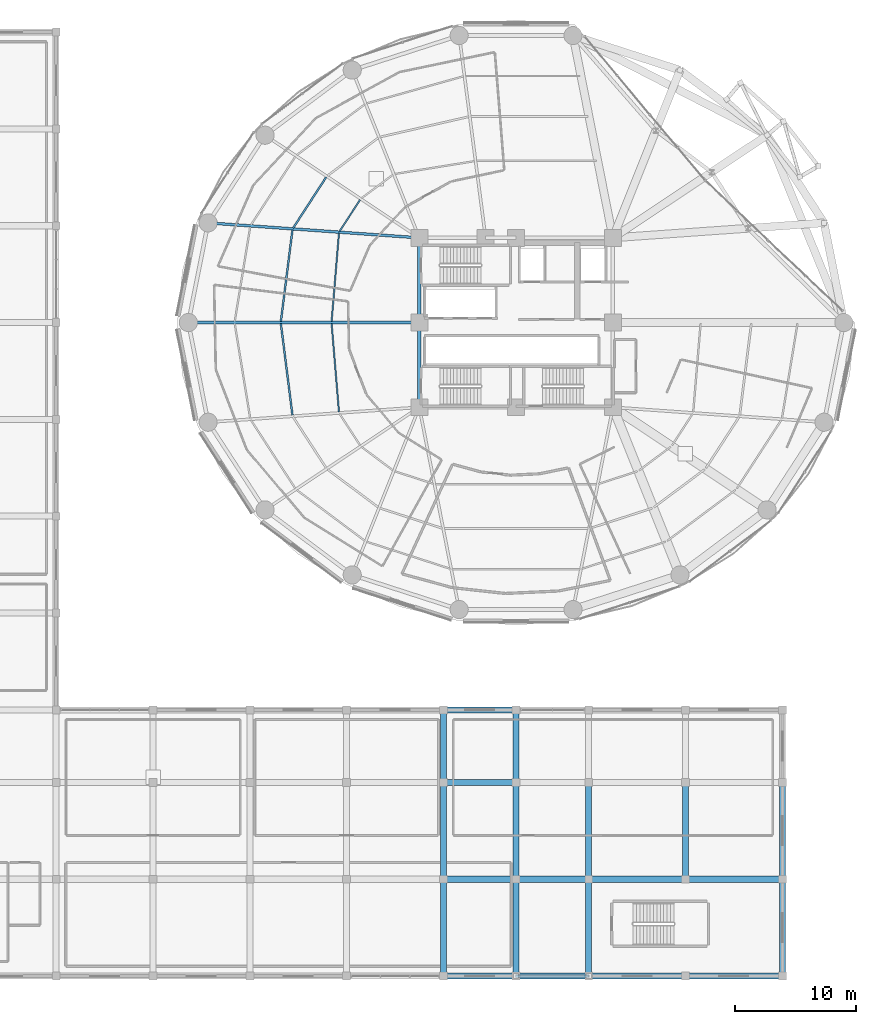
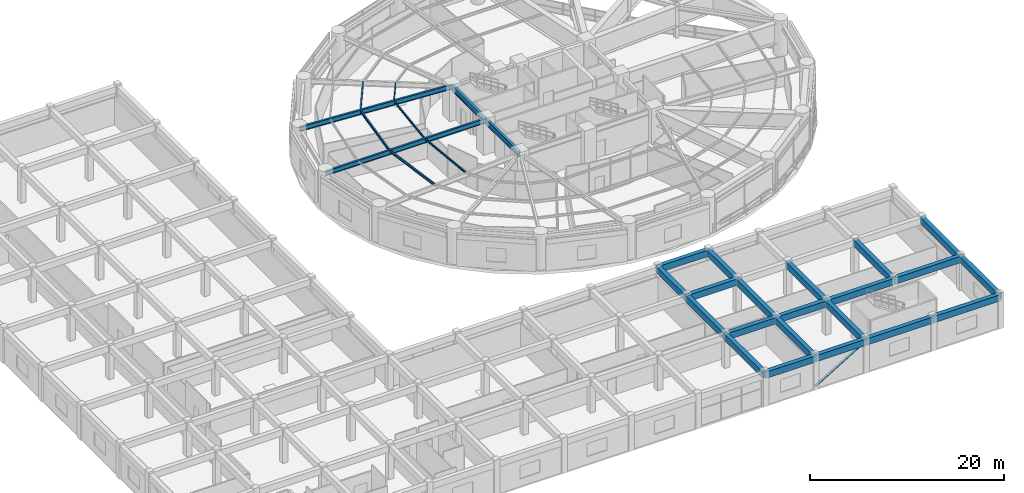
# One storey, part 16 of 52: 31 beams, 1 member.
"""IFC4 building model written with IfcOpenShell, lengths in metres."""

from ifc_helpers import new_model, si_unit, direction, frame, origin, origin_2d, place, context, subcontext, project, spatial, rectangle, hollow_circle, i_section, extrude, material, material_profile, profile_set, type_object, element, save


model = new_model("IFC4")

# Units and contexts
model_context = context("Model", 3, precision=1e-05, world=origin(), true_north=direction((0.0, 1.0)))
body_context = subcontext(model_context, "Body", "Model", "MODEL_VIEW")
ifc_project = project(units=[si_unit("LENGTHUNIT", "METRE"), si_unit("AREAUNIT", "SQUARE_METRE"), si_unit("VOLUMEUNIT", "CUBIC_METRE"), si_unit("PLANEANGLEUNIT", "RADIAN"), si_unit("MASSUNIT", "GRAM", prefix="KILO")], contexts=[model_context])

# Site, building, storey
site_placement = place(None, origin())
site = spatial("IfcSite", under=ifc_project, at=site_placement, CompositionType="ELEMENT")
building_placement = place(site_placement, origin())
building = spatial("IfcBuilding", under=site, at=building_placement, Name="Kelanora Arch Commons", CompositionType="ELEMENT")
storey_placement = place(building_placement, frame((0.0, 0.0, 13.5)))
storey = spatial("IfcBuildingStorey", under=building, at=storey_placement, Name="L03", CompositionType="ELEMENT", Elevation=13.5)

# Beams
ifc_material_1 = material(Name="Steel S355", Category="steel")
ifc_material_profile_1 = material_profile(ifc_material_1, i_section(OverallWidth=0.300048828125, OverallDepth=0.699951171875, WebThickness=0.01708984375, FlangeThickness=0.031982421875, FilletRadius=0.027099609375, at=origin_2d()), Name="HEB700")
ifc_profile_set_1 = profile_set([ifc_material_profile_1], Name="Steel S355")
beam_type_1 = type_object("IfcBeamType", Name="BM-CORE-HDR", PredefinedType="BEAM", material=ifc_profile_set_1)
for number, where, z_axis, x_axis, name in (
    (1, (66.0, 65.0, 3.75), (0.0, -1.0, 0.0), (1.0, 0.0, 0.0), "Core Header Beam 08 L03"),
    (2, (66.0, 58.0, 3.75), (0.0, -1.0, 0.0), (1.0, 0.0, 0.0), "Core Header Beam 09 L03"),
):
    element("IfcBeam", number, at=place(storey_placement, frame(where, z_axis=z_axis, x_axis=x_axis)), inside=storey, type_object=beam_type_1, Name=name, PredefinedType="BEAM", context=body_context, shape_type="SweptSolid", body=[
        extrude(i_section(OverallWidth=0.300048828125, OverallDepth=0.699951171875, WebThickness=0.01708984375, FlangeThickness=0.031982421875, FilletRadius=0.027099609375, at=origin_2d()), origin(), (0.0, 0.0, 1.0), 7.0),
    ])
ifc_material_profile_2 = material_profile(ifc_material_1, i_section(OverallWidth=0.14990234375, OverallDepth=0.300048828125, WebThickness=0.007080078125, FlangeThickness=0.0107421875, FilletRadius=0.014892578125, at=origin_2d()), Name="IPE300")
ifc_profile_set_2 = profile_set([ifc_material_profile_2], Name="Steel S355")
beam_type_2 = type_object("IfcBeamType", Name="BM-JST-01", PredefinedType="JOIST", material=ifc_profile_set_2)
beam_1_placement = place(storey_placement, frame((58.306884765625, 70.015625, 3.949951171875), z_axis=(-0.544551588245, -0.838727350061, 0.0), x_axis=(0.838727350061, -0.544551588245, 0.0)))
element("IfcBeam", 3, at=beam_1_placement, inside=storey, type_object=beam_type_2, Name="Secondary Chord Joist BJB-14 L03", PredefinedType="JOIST", context=body_context, shape_type="SweptSolid", body=[
    extrude(i_section(OverallWidth=0.14990234375, OverallDepth=0.300048828125, WebThickness=0.007080078125, FlangeThickness=0.0107421875, FilletRadius=0.014892578125, at=origin_2d()), origin(), (0.0, 0.0, 1.0), 5.010986328125),
])
for number, where, z_axis, x_axis, name in (
    (4, (55.521240234375, 65.6572265625, 3.949951171875), (-0.125565841651, -0.992085288375, 0.0), (0.992085288375, -0.125565841651, 0.0), "Secondary Chord Joist BJB-16 L03"),
    (5, (54.562744140625, 57.915771484375, 3.949951171875), (0.125565841651, -0.992085288375, 0.0), (0.992085288375, 0.125565841651, 0.0), "Secondary Chord Joist BJB-18 L03"),
):
    element("IfcBeam", number, at=place(storey_placement, frame(where, z_axis=z_axis, x_axis=x_axis)), inside=storey, type_object=beam_type_2, Name=name, PredefinedType="JOIST", context=body_context, shape_type="SweptSolid", body=[
        extrude(i_section(OverallWidth=0.14990234375, OverallDepth=0.300048828125, WebThickness=0.007080078125, FlangeThickness=0.0107421875, FilletRadius=0.014892578125, at=origin_2d()), origin(), (0.0, 0.0, 1.0), 7.63330078125),
    ])
ifc_material_profile_3 = material_profile(ifc_material_1, i_section(OverallWidth=0.1201171875, OverallDepth=0.239990234375, WebThickness=0.006103515625, FlangeThickness=0.009765625, FilletRadius=0.014892578125, at=origin_2d()), Name="IPE240")
ifc_profile_set_3 = profile_set([ifc_material_profile_3], Name="Steel S355")
beam_type_3 = type_object("IfcBeamType", Name="BM-JST-02", PredefinedType="JOIST", material=ifc_profile_set_3)
beam_2_placement = place(storey_placement, frame((61.11083984375, 68.150390625, 3.97998046875), z_axis=(-0.544591105858, -0.838701691557, 0.0), x_axis=(0.838701691557, -0.544591105858, 0.0)))
element("IfcBeam", 6, at=beam_2_placement, inside=storey, type_object=beam_type_3, Name="Secondary Chord Joist BJA-14 L03", PredefinedType="JOIST", context=body_context, shape_type="SweptSolid", body=[
    extrude(i_section(OverallWidth=0.1201171875, OverallDepth=0.239990234375, WebThickness=0.006103515625, FlangeThickness=0.009765625, FilletRadius=0.014892578125, at=origin_2d()), origin(), (0.0, 0.0, 1.0), 3.111328125),
])
for number, where, z_axis, x_axis, name in (
    (7, (59.363037109375, 65.385009765625, 3.97998046875), (-0.082786209886, -0.996567330115, 0.0), (0.996567330115, -0.082786209886, 0.0), "Secondary Chord Joist BJA-16 L03"),
    (8, (58.756591796875, 57.915283203125, 3.97998046875), (0.082786209886, -0.996567330115, 0.0), (0.996567330115, 0.082786209886, 0.0), "Secondary Chord Joist BJA-18 L03"),
):
    element("IfcBeam", number, at=place(storey_placement, frame(where, z_axis=z_axis, x_axis=x_axis)), inside=storey, type_object=beam_type_3, Name=name, PredefinedType="JOIST", context=body_context, shape_type="SweptSolid", body=[
        extrude(i_section(OverallWidth=0.1201171875, OverallDepth=0.239990234375, WebThickness=0.006103515625, FlangeThickness=0.009765625, FilletRadius=0.014892578125, at=origin_2d()), origin(), (0.0, 0.0, 1.0), 7.325439453125),
    ])
ifc_material_2 = material(Name="Concrete C40/50", Category="concrete")
ifc_material_profile_4 = material_profile(ifc_material_2, rectangle(XDim=0.5, YDim=0.800048828125, at=origin_2d()), Name="RCB500x800")
ifc_profile_set_4 = profile_set([ifc_material_profile_4], Name="Concrete C40/50")
beam_type_4 = type_object("IfcBeamType", Name="BM-MKT-RC1", PredefinedType="BEAM", material=ifc_profile_set_4)
beam_3_placement = place(storey_placement, frame((68.0, 4.0, 3.840087890625), z_axis=(1.0, 0.0, 0.0), x_axis=(0.0, 1.0, 0.0)))
element("IfcBeam", 9, at=beam_3_placement, inside=storey, type_object=beam_type_4, Name="Market/Basement Frame Beam 115 L03", PredefinedType="BEAM", context=body_context, shape_type="SweptSolid", body=[
    extrude(rectangle(XDim=0.5, YDim=0.800048828125, at=origin_2d()), origin(), (0.0, 0.0, 1.0), 6.0),
])
beam_4_placement = place(storey_placement, frame((68.0, 4.0, 3.840087890625), z_axis=(0.0, 1.0, 0.0), x_axis=(-1.0, 0.0, 0.0)))
element("IfcBeam", 10, at=beam_4_placement, inside=storey, type_object=beam_type_4, Name="Market/Basement Frame Beam 116 L03", PredefinedType="BEAM", context=body_context, shape_type="SweptSolid", body=[
    extrude(rectangle(XDim=0.5, YDim=0.800048828125, at=origin_2d()), origin(), (0.0, 0.0, 1.0), 8.0),
])
beam_5_placement = place(storey_placement, frame((68.0, 12.0, 3.840087890625), z_axis=(1.0, 0.0, 0.0), x_axis=(0.0, 1.0, 0.0)))
element("IfcBeam", 11, at=beam_5_placement, inside=storey, type_object=beam_type_4, Name="Market/Basement Frame Beam 117 L03", PredefinedType="BEAM", context=body_context, shape_type="SweptSolid", body=[
    extrude(rectangle(XDim=0.5, YDim=0.800048828125, at=origin_2d()), origin(), (0.0, 0.0, 1.0), 6.0),
])
beam_6_placement = place(storey_placement, frame((68.0, 12.0, 3.840087890625), z_axis=(0.0, 1.0, 0.0), x_axis=(-1.0, 0.0, 0.0)))
element("IfcBeam", 12, at=beam_6_placement, inside=storey, type_object=beam_type_4, Name="Market/Basement Frame Beam 118 L03", PredefinedType="BEAM", context=body_context, shape_type="SweptSolid", body=[
    extrude(rectangle(XDim=0.5, YDim=0.800048828125, at=origin_2d()), origin(), (0.0, 0.0, 1.0), 8.0),
])
for number, where, z_axis, x_axis, name in (
    (13, (68.0, 20.0, 3.840087890625), (1.0, 0.0, 0.0), (0.0, 1.0, 0.0), "Market/Basement Frame Beam 119 L03"),
    (14, (68.0, 20.0, 3.840087890625), (0.0, 1.0, 0.0), (-1.0, 0.0, 0.0), "Market/Basement Frame Beam 120 L03"),
    (15, (68.0, 26.0, 3.840087890625), (1.0, 0.0, 0.0), (0.0, 1.0, 0.0), "Market/Basement Frame Beam 121 L03"),
    (16, (74.0, 4.0, 3.840087890625), (1.0, 0.0, 0.0), (0.0, 1.0, 0.0), "Market/Basement Frame Beam 122 L03"),
):
    element("IfcBeam", number, at=place(storey_placement, frame(where, z_axis=z_axis, x_axis=x_axis)), inside=storey, type_object=beam_type_4, Name=name, PredefinedType="BEAM", context=body_context, shape_type="SweptSolid", body=[
        extrude(rectangle(XDim=0.5, YDim=0.800048828125, at=origin_2d()), origin(), (0.0, 0.0, 1.0), 6.0),
    ])
beam_7_placement = place(storey_placement, frame((74.0, 4.0, 3.840087890625), z_axis=(0.0, 1.0, 0.0), x_axis=(-1.0, 0.0, 0.0)))
element("IfcBeam", 17, at=beam_7_placement, inside=storey, type_object=beam_type_4, Name="Market/Basement Frame Beam 123 L03", PredefinedType="BEAM", context=body_context, shape_type="SweptSolid", body=[
    extrude(rectangle(XDim=0.5, YDim=0.800048828125, at=origin_2d()), origin(), (0.0, 0.0, 1.0), 8.0),
])
beam_8_placement = place(storey_placement, frame((74.0, 12.0, 3.840087890625), z_axis=(1.0, 0.0, 0.0), x_axis=(0.0, 1.0, 0.0)))
element("IfcBeam", 18, at=beam_8_placement, inside=storey, type_object=beam_type_4, Name="Market/Basement Frame Beam 124 L03", PredefinedType="BEAM", context=body_context, shape_type="SweptSolid", body=[
    extrude(rectangle(XDim=0.5, YDim=0.800048828125, at=origin_2d()), origin(), (0.0, 0.0, 1.0), 6.0),
])
beam_9_placement = place(storey_placement, frame((74.0, 12.0, 3.840087890625), z_axis=(0.0, 1.0, 0.0), x_axis=(-1.0, 0.0, 0.0)))
element("IfcBeam", 19, at=beam_9_placement, inside=storey, type_object=beam_type_4, Name="Market/Basement Frame Beam 125 L03", PredefinedType="BEAM", context=body_context, shape_type="SweptSolid", body=[
    extrude(rectangle(XDim=0.5, YDim=0.800048828125, at=origin_2d()), origin(), (0.0, 0.0, 1.0), 8.0),
])
beam_10_placement = place(storey_placement, frame((74.0, 20.0, 3.840087890625), z_axis=(0.0, 1.0, 0.0), x_axis=(-1.0, 0.0, 0.0)))
element("IfcBeam", 20, at=beam_10_placement, inside=storey, type_object=beam_type_4, Name="Market/Basement Frame Beam 127 L03", PredefinedType="BEAM", context=body_context, shape_type="SweptSolid", body=[
    extrude(rectangle(XDim=0.5, YDim=0.800048828125, at=origin_2d()), origin(), (0.0, 0.0, 1.0), 6.0),
])
for number, where, z_axis, x_axis, name in (
    (21, (80.0, 4.0, 3.840087890625), (1.0, 0.0, 0.0), (0.0, 1.0, 0.0), "Market/Basement Frame Beam 129 L03"),
    (22, (80.0, 4.0, 3.840087890625), (0.0, 1.0, 0.0), (-1.0, 0.0, 0.0), "Market/Basement Frame Beam 130 L03"),
    (23, (80.0, 12.0, 3.840087890625), (1.0, 0.0, 0.0), (0.0, 1.0, 0.0), "Market/Basement Frame Beam 131 L03"),
    (24, (80.0, 12.0, 3.840087890625), (0.0, 1.0, 0.0), (-1.0, 0.0, 0.0), "Market/Basement Frame Beam 132 L03"),
    (25, (88.0, 4.0, 3.840087890625), (1.0, 0.0, 0.0), (0.0, 1.0, 0.0), "Market/Basement Frame Beam 136 L03"),
    (26, (88.0, 12.0, 3.840087890625), (1.0, 0.0, 0.0), (0.0, 1.0, 0.0), "Market/Basement Frame Beam 137 L03"),
    (27, (88.0, 12.0, 3.840087890625), (0.0, 1.0, 0.0), (-1.0, 0.0, 0.0), "Market/Basement Frame Beam 138 L03"),
    (28, (96.0, 4.0, 3.840087890625), (0.0, 1.0, 0.0), (-1.0, 0.0, 0.0), "Market/Basement Frame Beam 142 L03"),
    (29, (96.0, 12.0, 3.840087890625), (0.0, 1.0, 0.0), (-1.0, 0.0, 0.0), "Market/Basement Frame Beam 143 L03"),
):
    element("IfcBeam", number, at=place(storey_placement, frame(where, z_axis=z_axis, x_axis=x_axis)), inside=storey, type_object=beam_type_4, Name=name, PredefinedType="BEAM", context=body_context, shape_type="SweptSolid", body=[
        extrude(rectangle(XDim=0.5, YDim=0.800048828125, at=origin_2d()), origin(), (0.0, 0.0, 1.0), 8.0),
    ])
ifc_material_profile_5 = material_profile(ifc_material_1, i_section(OverallWidth=0.219970703125, OverallDepth=0.60009765625, WebThickness=0.011962890625, FlangeThickness=0.01904296875, FilletRadius=0.02392578125, at=origin_2d()), Name="IPE600")
ifc_profile_set_5 = profile_set([ifc_material_profile_5], Name="Steel S355")
beam_type_5 = type_object("IfcBeamType", Name="BM-RAD-Z1", PredefinedType="BEAM", material=ifc_profile_set_5)
beam_11_placement = place(storey_placement, frame((66.0, 65.0, 3.800048828125), z_axis=(-0.997500683472, 0.070656821848, 0.0), x_axis=(-0.070656821848, -0.997500683472, 0.0)))
element("IfcBeam", 30, at=beam_11_placement, inside=storey, type_object=beam_type_5, Name="Radial Floor Girder BR-16 L03", PredefinedType="BEAM", context=body_context, shape_type="SweptSolid", body=[
    extrude(i_section(OverallWidth=0.219970703125, OverallDepth=0.60009765625, WebThickness=0.011962890625, FlangeThickness=0.01904296875, FilletRadius=0.02392578125, at=origin_2d()), origin(), (0.0, 0.0, 1.0), 17.49072265625),
])
beam_12_placement = place(storey_placement, frame((66.0, 58.0, 3.800048828125), z_axis=(-1.0, 0.0, 0.0), x_axis=(0.0, -1.0, 0.0)))
element("IfcBeam", 31, at=beam_12_placement, inside=storey, type_object=beam_type_5, Name="Radial Floor Girder BR-18 L03", PredefinedType="BEAM", context=body_context, shape_type="SweptSolid", body=[
    extrude(i_section(OverallWidth=0.219970703125, OverallDepth=0.60009765625, WebThickness=0.011962890625, FlangeThickness=0.01904296875, FilletRadius=0.02392578125, at=origin_2d()), origin(), (0.0, 0.0, 1.0), 19.080078125),
])

# Member
ifc_material_profile_6 = material_profile(ifc_material_1, hollow_circle(Radius=0.136474609375, WallThickness=0.012451171875, at=origin_2d()), Name="CHS273x12.5")
ifc_profile_set_6 = profile_set([ifc_material_profile_6], Name="Steel S355")
member_type = type_object("IfcMemberType", Name="MEM-MKT-BRACE", PredefinedType="BRACE", material=ifc_profile_set_6)
member_placement = place(storey_placement, frame((74.0, 4.0, 0.25), z_axis=(0.857486768376, 0.0, 0.514506017516), x_axis=(0.0, 1.0, 0.0)))
element("IfcMember", 32, at=member_placement, inside=storey, type_object=member_type, Name="Market Hall Lateral Brace 02 L03", PredefinedType="BRACE", context=body_context, shape_type="SweptSolid", body=[
    extrude(hollow_circle(Radius=0.136474609375, WallThickness=0.012451171875, at=origin_2d()), origin(), (0.0, 0.0, 1.0), 6.997314453125),
])

save(model, "model.ifc")
